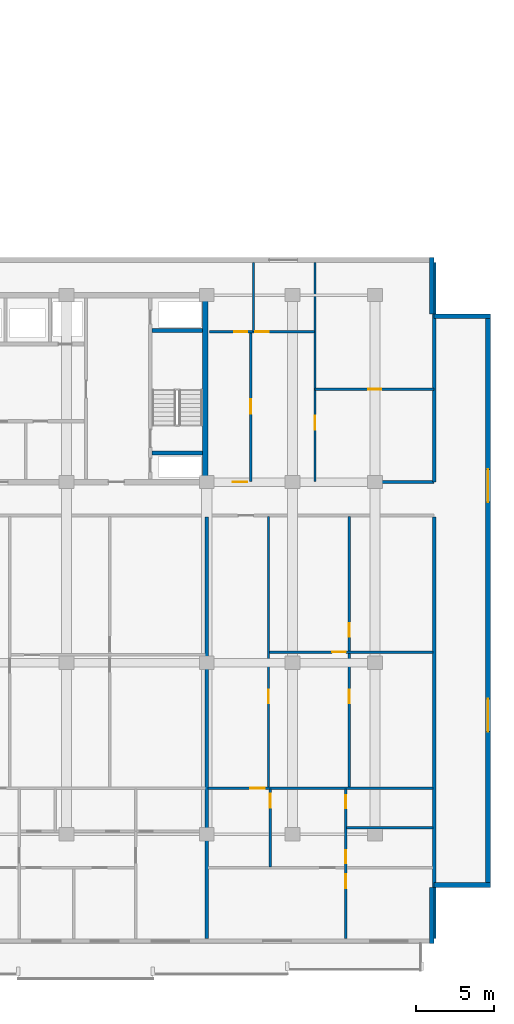
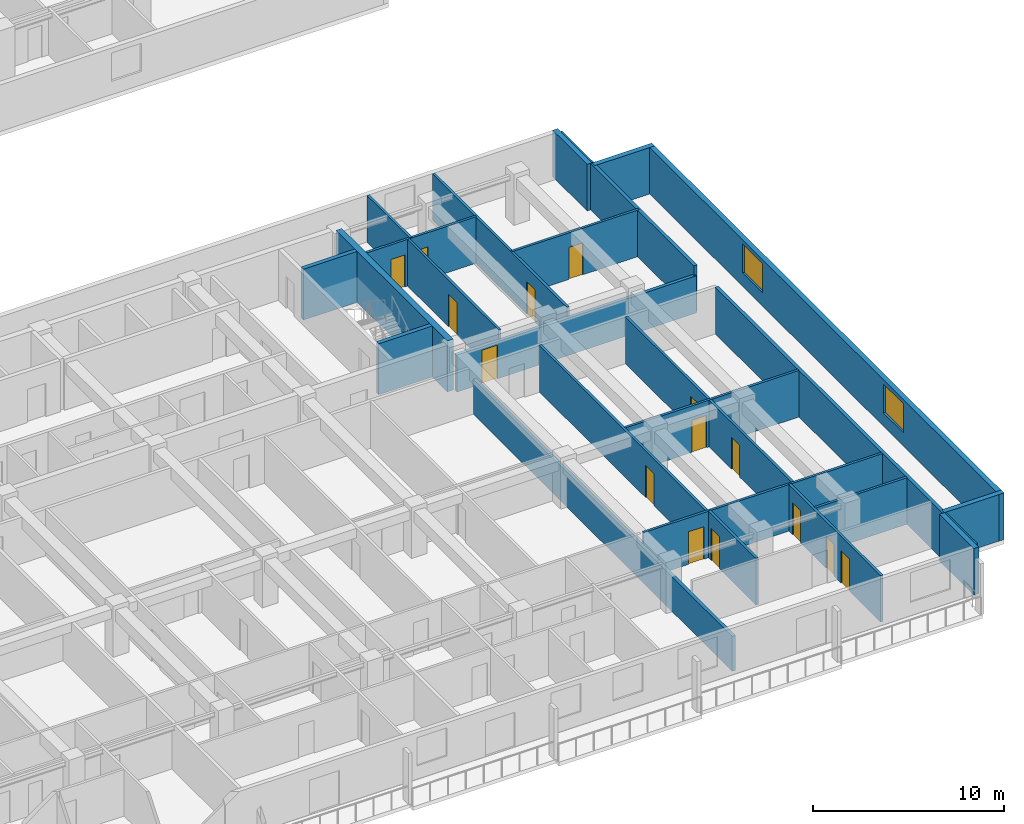
# One storey, part 9 of 23: 24 walls, 15 doors, 2 windows, 17 openings.
"""IFC4 building model written with IfcOpenShell, lengths in metres."""

from ifc_helpers import new_model, si_unit, direction, frame, frame_2d, origin, place, context, subcontext, project, spatial, rectangle, extrude, material, layer, layer_set, type_object, element, fill, save


model = new_model("IFC4")

# Units and contexts
model_context = context("Model", 3, precision=1e-05, world=origin(), true_north=direction((0.0, 1.0)))
body_context = subcontext(model_context, "Body", "Model", "MODEL_VIEW")
ifc_project = project(units=[si_unit("LENGTHUNIT", "METRE"), si_unit("AREAUNIT", "SQUARE_METRE"), si_unit("VOLUMEUNIT", "CUBIC_METRE"), si_unit("PLANEANGLEUNIT", "RADIAN"), si_unit("MASSUNIT", "GRAM", prefix="KILO")], contexts=[model_context])

# Site, building, storey
site_placement = place(None, origin())
site = spatial("IfcSite", under=ifc_project, at=site_placement, CompositionType="ELEMENT")
building_placement = place(site_placement, origin())
building = spatial("IfcBuilding", under=site, at=building_placement, Name="Korimba Cascade Residences", CompositionType="ELEMENT")
storey_placement = place(building_placement, frame((0.0, 0.0, 69.5)))
storey = spatial("IfcBuildingStorey", under=building, at=storey_placement, Name="L19", CompositionType="ELEMENT", Elevation=69.5)

# Walls
ifc_material_1 = material(Name="Precast concrete C40/50", Category="concrete")
ifc_layer_1 = layer(ifc_material_1, 0.300048828125)
ifc_layer_set_1 = layer_set([ifc_layer_1], Name="Precast concrete C40/50")
wall_type_1 = type_object("IfcWallType", Name="EW-STONE-300", PredefinedType="STANDARD", material=ifc_layer_set_1)
wall_1_placement = place(storey_placement, frame((132.550048828125, -11.199951171875, 0.0), z_axis=(0.0, 0.0, 1.0), x_axis=(0.0, 1.0, 0.0)))
element("IfcWall", 1, at=wall_1_placement, inside=storey, type_object=wall_type_1, Name="L19 T2 Perimeter Stone Wall E01", PredefinedType="STANDARD", context=body_context, shape_type="SweptSolid", body=[
    extrude(rectangle(XDim=3.599853515625, YDim=0.300048828125, at=frame_2d((1.7998046875, 0.0))), origin(), (0.0, 0.0, 1.0), 2.969970703125),
])
wall_2_placement = place(storey_placement, frame((132.699951171875, -7.449951171875, 0.0), z_axis=(0.0, 0.0, 1.0), x_axis=(1.0, 0.0, 0.0)))
element("IfcWall", 2, at=wall_2_placement, inside=storey, type_object=wall_type_1, Name="L19 T2 Perimeter Stone Wall E02", PredefinedType="STANDARD", context=body_context, shape_type="SweptSolid", body=[
    extrude(rectangle(XDim=3.60009765625, YDim=0.300048828125, at=frame_2d((1.800048828125, 0.0))), origin(), (0.0, 0.0, 1.0), 2.969970703125),
])

# Wall, openings, windows
wall_3_placement = place(storey_placement, frame((136.14990234375, -7.60009765625, 0.0), z_axis=(0.0, 0.0, 1.0), x_axis=(0.0, 1.0, 0.0)))
wall_3 = element("IfcWall", 3, at=wall_3_placement, inside=storey, type_object=wall_type_1, Name="L19 T2 Perimeter Stone Wall E03", PredefinedType="STANDARD", context=body_context, shape_type="SweptSolid", body=[
    extrude(rectangle(XDim=36.800048828125, YDim=0.300048828125, at=frame_2d((18.39990234375, 0.0))), origin(), (0.0, 0.0, 1.0), 2.969970703125),
])
opening_1_placement = place(wall_3_placement, frame((9.989990234375, 0.0, 0.85009765625)))
opening_1 = element("IfcOpeningElement", 4, at=opening_1_placement, cuts=wall_3, Name="Opening W-03", PredefinedType="OPENING", context=body_context, shape_type="SweptSolid", body=[
    extrude(rectangle(XDim=2.10009765625, YDim=1.85009765625, at=frame_2d((1.050048828125, 0.925048828125))), frame((0.0, 0.16015625, 0.0), z_axis=(0.0, -1.0, 0.0), x_axis=(1.0, 0.0, 0.0)), (0.0, 0.0, 1.0), 0.320068359375),
])
opening_2_placement = place(wall_3_placement, frame((24.7099609375, 0.0, 0.85009765625)))
opening_2 = element("IfcOpeningElement", 5, at=opening_2_placement, cuts=wall_3, Name="Opening W-03", PredefinedType="OPENING", context=body_context, shape_type="SweptSolid", body=[
    extrude(rectangle(XDim=2.10009765625, YDim=1.85009765625, at=frame_2d((1.050048828125, 0.925048828125))), frame((0.0, 0.16015625, 0.0), z_axis=(0.0, -1.0, 0.0), x_axis=(1.0, 0.0, 0.0)), (0.0, 0.0, 1.0), 0.320068359375),
])
ifc_material_2 = material(Name="Double-Glazed Aluminium Window", Category="aluminium")
window_type = type_object("IfcWindowType", Name="WIN-CRN-2100", PartitioningType="DOUBLE_PANEL_HORIZONTAL", PredefinedType="WINDOW", material=ifc_material_2)
window_1_placement = place(opening_1_placement, origin())
window_1 = element("IfcWindow", 6, at=window_1_placement, inside=storey, type_object=window_type, Name="L19 T2 End View Window 3.1", OverallHeight=1.85009765625, OverallWidth=2.10009765625, PartitioningType="DOUBLE_PANEL_HORIZONTAL", PredefinedType="WINDOW", context=body_context, shape_type="SweptSolid", body=[
    extrude(rectangle(XDim=2.10009765625, YDim=1.85009765625, at=frame_2d((1.050048828125, 0.925048828125))), frame((0.0, 0.030029296875, 0.0), z_axis=(0.0, -1.0, 0.0), x_axis=(1.0, 0.0, 0.0)), (0.0, 0.0, 1.0), 0.06005859375),
])
fill(opening_1, window_1)
window_2_placement = place(opening_2_placement, origin())
window_2 = element("IfcWindow", 7, at=window_2_placement, inside=storey, type_object=window_type, Name="L19 T2 End View Window 3.2", OverallHeight=1.85009765625, OverallWidth=2.10009765625, PartitioningType="DOUBLE_PANEL_HORIZONTAL", PredefinedType="WINDOW", context=body_context, shape_type="SweptSolid", body=[
    extrude(rectangle(XDim=2.10009765625, YDim=1.85009765625, at=frame_2d((1.050048828125, 0.925048828125))), frame((0.0, 0.030029296875, 0.0), z_axis=(0.0, -1.0, 0.0), x_axis=(1.0, 0.0, 0.0)), (0.0, 0.0, 1.0), 0.06005859375),
])
fill(opening_2, window_2)

# Walls
for number, where, z_axis, x_axis, name in (
    (8, (136.300048828125, 29.050048828125, 0.0), (0.0, 0.0, 1.0), (-1.0, 0.0, 0.0), "L19 T2 Perimeter Stone Wall E04"),
    (9, (132.550048828125, 29.199951171875, 0.0), (0.0, 0.0, 1.0), (0.0, 1.0, 0.0), "L19 T2 Perimeter Stone Wall E05"),
):
    element("IfcWall", number, at=place(storey_placement, frame(where, z_axis=z_axis, x_axis=x_axis)), inside=storey, type_object=wall_type_1, Name=name, PredefinedType="STANDARD", context=body_context, shape_type="SweptSolid", body=[
        extrude(rectangle(XDim=3.60009765625, YDim=0.300048828125, at=frame_2d((1.800048828125, 0.0))), origin(), (0.0, 0.0, 1.0), 2.969970703125),
    ])
ifc_material_3 = material(Name="Concrete C65/80", Category="concrete")
ifc_layer_2 = layer(ifc_material_3, 0.35009765625)
ifc_layer_set_2 = layer_set([ifc_layer_2], Name="Concrete C65/80")
wall_type_2 = type_object("IfcWallType", Name="WAL-CORE-350", PredefinedType="SHEAR", material=ifc_layer_set_2)
wall_4_placement = place(storey_placement, frame((118.014892578125, 18.574951171875, 0.0), z_axis=(0.0, 0.0, 1.0), x_axis=(0.0, 1.0, 0.0)))
element("IfcWall", 10, at=wall_4_placement, inside=storey, type_object=wall_type_2, Name="L19 Core Shear Wall CW-L19-T2-E", PredefinedType="SHEAR", context=body_context, shape_type="SweptSolid", body=[
    extrude(rectangle(XDim=11.650146484375, YDim=0.35009765625, at=frame_2d((5.8251953125, 0.0))), origin(), (0.0, 0.0, 1.0), 3.25),
])
ifc_layer_3 = layer(ifc_material_1, 0.199951171875)
ifc_layer_set_3 = layer_set([ifc_layer_3], Name="Precast concrete C40/50")
wall_type_3 = type_object("IfcWallType", Name="WAL-IT-200", PredefinedType="PARTITIONING", material=ifc_layer_set_3)
wall_5_placement = place(storey_placement, frame((132.699951171875, 18.39990234375, 0.0), z_axis=(0.0, 0.0, 1.0), x_axis=(0.0, 1.0, 0.0)))
element("IfcWall", 11, at=wall_5_placement, inside=storey, type_object=wall_type_3, Name="L19 Partition Wall WAL-L19-T2-FE-WR", PredefinedType="PARTITIONING", context=body_context, shape_type="SweptSolid", body=[
    extrude(rectangle(XDim=14.10009765625, YDim=0.199951171875, at=frame_2d((7.050048828125, 0.0))), origin(), (0.0, 0.0, 1.0), 2.969970703125),
])

# Wall, opening, door
wall_6_placement = place(storey_placement, frame((118.25, 18.39990234375, 0.0), z_axis=(0.0, 0.0, 1.0), x_axis=(1.0, 0.0, 0.0)))
wall_6 = element("IfcWall", 12, at=wall_6_placement, inside=storey, type_object=wall_type_3, Name="L19 Partition Wall WAL-L19-T2-FE-S", PredefinedType="PARTITIONING", context=body_context, shape_type="SweptSolid", body=[
    extrude(rectangle(XDim=14.449951171875, YDim=0.199951171875, at=frame_2d((7.22509765625, 0.0))), origin(), (0.0, 0.0, 1.0), 2.3701171875),
])
opening_3_placement = place(wall_6_placement, frame((1.510009765625, 0.0, 0.0)))
opening_3 = element("IfcOpeningElement", 13, at=opening_3_placement, cuts=wall_6, Name="Opening D-UN1", PredefinedType="OPENING", context=body_context, shape_type="SweptSolid", body=[
    extrude(rectangle(XDim=0.949951171875, YDim=2.14990234375, at=frame_2d((0.47509765625, 1.074951171875))), frame((0.0, 0.10986328125, 0.0), z_axis=(0.0, -1.0, 0.0), x_axis=(1.0, 0.0, 0.0)), (0.0, 0.0, 1.0), 0.219970703125),
])
ifc_material_4 = material(Name="Fire-Rated Hardwood Apartment Entrance Door", Category="wood")
door_type_1 = type_object("IfcDoorType", Name="DR-FD60-950", OperationType="NOTDEFINED", PredefinedType="DOOR", material=ifc_material_4)
door_1_placement = place(opening_3_placement, origin())
door_1 = element("IfcDoor", 14, at=door_1_placement, inside=storey, type_object=door_type_1, Name="L19-T2-FE Entrance Door", OperationType="SINGLE_SWING_RIGHT", OverallHeight=2.14990234375, OverallWidth=0.949951171875, PredefinedType="DOOR", context=body_context, shape_type="SweptSolid", body=[
    extrude(rectangle(XDim=0.949951171875, YDim=2.14990234375, at=frame_2d((0.47509765625, 1.074951171875))), frame((0.0, 0.02490234375, 0.0), z_axis=(0.0, -1.0, 0.0), x_axis=(1.0, 0.0, 0.0)), (0.0, 0.0, 1.0), 0.050048828125),
])
fill(opening_3, door_1)

# Walls
wall_7_placement = place(storey_placement, frame((132.699951171875, -10.89990234375, 0.0), z_axis=(0.0, 0.0, 1.0), x_axis=(0.0, 1.0, 0.0)))
element("IfcWall", 15, at=wall_7_placement, inside=storey, type_object=wall_type_3, Name="L19 Partition Wall WAL-L19-T2-BNDWR", PredefinedType="PARTITIONING", context=body_context, shape_type="SweptSolid", body=[
    extrude(rectangle(XDim=27.06982421875, YDim=0.199951171875, at=frame_2d((13.534912109375, 0.0))), origin(), (0.0, 0.0, 1.0), 2.969970703125),
])
wall_8_placement = place(storey_placement, frame((118.10009765625, -10.89990234375, 0.0), z_axis=(0.0, 0.0, 1.0), x_axis=(0.0, 1.0, 0.0)))
element("IfcWall", 16, at=wall_8_placement, inside=storey, type_object=wall_type_3, Name="L19 Partition Wall WAL-L19-T2-DEM-3", PredefinedType="PARTITIONING", context=body_context, shape_type="SweptSolid", body=[
    extrude(rectangle(XDim=27.06982421875, YDim=0.199951171875, at=frame_2d((13.534912109375, 0.0))), origin(), (0.0, 0.0, 1.0), 2.219970703125),
])

# Wall, opening, door
ifc_material_5 = material(Name="Insulated Acoustic Stud Partition", Category="gypsum")
ifc_layer_4 = layer(ifc_material_5, 0.14990234375)
ifc_layer_set_4 = layer_set([ifc_layer_4], Name="Insulated Acoustic Stud Partition")
wall_type_4 = type_object("IfcWallType", Name="WAL-PART-150", PredefinedType="PARTITIONING", material=ifc_layer_set_4)
wall_9_placement = place(storey_placement, frame((125.050048828125, 24.35009765625, 0.0), z_axis=(0.0, 0.0, 1.0), x_axis=(1.0, 0.0, 0.0)))
wall_9 = element("IfcWall", 17, at=wall_9_placement, inside=storey, type_object=wall_type_4, Name="L19 Partition Wall WAL-L19-T2-FE-STH", PredefinedType="PARTITIONING", context=body_context, shape_type="SweptSolid", body=[
    extrude(rectangle(XDim=7.64990234375, YDim=0.14990234375, at=frame_2d((3.824951171875, 0.0))), origin(), (0.0, 0.0, 1.0), 2.969970703125),
])
opening_4_placement = place(wall_9_placement, frame((3.405029296875, 0.0, 0.0)))
opening_4 = element("IfcOpeningElement", 18, at=opening_4_placement, cuts=wall_9, Name="Opening D-BT1", PredefinedType="OPENING", context=body_context, shape_type="SweptSolid", body=[
    extrude(rectangle(XDim=0.840087890625, YDim=2.0400390625, at=frame_2d((0.419921875, 1.02001953125))), frame((0.0, 0.0849609375, 0.0), z_axis=(0.0, -1.0, 0.0), x_axis=(1.0, 0.0, 0.0)), (0.0, 0.0, 1.0), 0.169921875),
])
ifc_material_6 = material(Name="Moisture-Resistant Bathroom Timber Door", Category="wood")
door_type_2 = type_object("IfcDoorType", Name="DR-INT-850", OperationType="NOTDEFINED", PredefinedType="DOOR", material=ifc_material_6)
door_2_placement = place(opening_4_placement, origin())
door_2 = element("IfcDoor", 19, at=door_2_placement, inside=storey, type_object=door_type_2, Name="L19-T2-FE Dressing Store Door", OperationType="SINGLE_SWING_LEFT", OverallHeight=2.0400390625, OverallWidth=0.840087890625, PredefinedType="DOOR", context=body_context, shape_type="SweptSolid", body=[
    extrude(rectangle(XDim=0.840087890625, YDim=2.0400390625, at=frame_2d((0.419921875, 1.02001953125))), frame((0.0, 0.02490234375, 0.0), z_axis=(0.0, -1.0, 0.0), x_axis=(1.0, 0.0, 0.0)), (0.0, 0.0, 1.0), 0.050048828125),
])
fill(opening_4, door_2)

wall_10_placement = place(storey_placement, frame((125.050048828125, 18.449951171875, 0.0), z_axis=(0.0, 0.0, 1.0), x_axis=(0.0, 1.0, 0.0)))
wall_10 = element("IfcWall", 20, at=wall_10_placement, inside=storey, type_object=wall_type_4, Name="L19 Partition Wall WAL-L19-T2-FE-STV", PredefinedType="PARTITIONING", context=body_context, shape_type="SweptSolid", body=[
    extrude(rectangle(XDim=14.050048828125, YDim=0.14990234375, at=frame_2d((7.02490234375, 0.0))), origin(), (0.0, 0.0, 1.0), 2.969970703125),
])
opening_5_placement = place(wall_10_placement, frame((3.320068359375, 0.0, 0.0)))
opening_5 = element("IfcOpeningElement", 21, at=opening_5_placement, cuts=wall_10, Name="Opening D-IN2", PredefinedType="OPENING", context=body_context, shape_type="SweptSolid", body=[
    extrude(rectangle(XDim=0.8798828125, YDim=2.06005859375, at=frame_2d((0.43994140625, 1.030029296875))), frame((0.0, 0.0849609375, 0.0), z_axis=(0.0, -1.0, 0.0), x_axis=(1.0, 0.0, 0.0)), (0.0, 0.0, 1.0), 0.169921875),
])
ifc_material_7 = material(Name="Acoustic Timber Bedroom Door", Category="wood")
door_type_3 = type_object("IfcDoorType", Name="DR-INT-880", OperationType="NOTDEFINED", PredefinedType="DOOR", material=ifc_material_7)
door_3_placement = place(opening_5_placement, origin())
door_3 = element("IfcDoor", 22, at=door_3_placement, inside=storey, type_object=door_type_3, Name="L19-T2-FE Study Door", OperationType="SINGLE_SWING_RIGHT", OverallHeight=2.06005859375, OverallWidth=0.8798828125, PredefinedType="DOOR", context=body_context, shape_type="SweptSolid", body=[
    extrude(rectangle(XDim=0.8798828125, YDim=2.06005859375, at=frame_2d((0.43994140625, 1.030029296875))), frame((0.0, 0.02490234375, 0.0), z_axis=(0.0, -1.0, 0.0), x_axis=(1.0, 0.0, 0.0)), (0.0, 0.0, 1.0), 0.050048828125),
])
fill(opening_5, door_3)

wall_11_placement = place(storey_placement, frame((120.929931640625, 18.449951171875, 0.0), z_axis=(0.0, 0.0, 1.0), x_axis=(0.0, 1.0, 0.0)))
wall_11 = element("IfcWall", 23, at=wall_11_placement, inside=storey, type_object=wall_type_4, Name="L19 Partition Wall WAL-L19-T2-FE-VS", PredefinedType="PARTITIONING", context=body_context, shape_type="SweptSolid", body=[
    extrude(rectangle(XDim=9.60009765625, YDim=0.14990234375, at=frame_2d((4.800048828125, 0.0))), origin(), (0.0, 0.0, 1.0), 2.969970703125),
])
opening_6_placement = place(wall_11_placement, frame((4.340087890625, 0.0, 0.0)))
opening_6 = element("IfcOpeningElement", 24, at=opening_6_placement, cuts=wall_11, Name="Opening D-IN1", PredefinedType="OPENING", context=body_context, shape_type="SweptSolid", body=[
    extrude(rectangle(XDim=0.919921875, YDim=2.080078125, at=frame_2d((0.4599609375, 1.0400390625))), frame((0.0, 0.0849609375, 0.0), z_axis=(0.0, -1.0, 0.0), x_axis=(1.0, 0.0, 0.0)), (0.0, 0.0, 1.0), 0.169921875),
])
ifc_material_8 = material(Name="Acoustic Timber Living Door", Category="wood")
door_type_4 = type_object("IfcDoorType", Name="DR-INT-920", OperationType="NOTDEFINED", PredefinedType="DOOR", material=ifc_material_8)
door_4_placement = place(opening_6_placement, origin())
door_4 = element("IfcDoor", 25, at=door_4_placement, inside=storey, type_object=door_type_4, Name="L19-T2-FE Living Door", OperationType="SINGLE_SWING_LEFT", OverallHeight=2.080078125, OverallWidth=0.919921875, PredefinedType="DOOR", context=body_context, shape_type="SweptSolid", body=[
    extrude(rectangle(XDim=0.919921875, YDim=2.080078125, at=frame_2d((0.4599609375, 1.0400390625))), frame((0.0, 0.02490234375, 0.0), z_axis=(0.0, -1.0, 0.0), x_axis=(1.0, 0.0, 0.0)), (0.0, 0.0, 1.0), 0.050048828125),
])
fill(opening_6, door_4)

# Wall
wall_12_placement = place(storey_placement, frame((121.10009765625, 28.050048828125, 0.0), z_axis=(0.0, 0.0, 1.0), x_axis=(0.0, 1.0, 0.0)))
element("IfcWall", 26, at=wall_12_placement, inside=storey, type_object=wall_type_4, Name="L19 Partition Wall WAL-L19-T2-FE-VN", PredefinedType="PARTITIONING", context=body_context, shape_type="SweptSolid", body=[
    extrude(rectangle(XDim=4.449951171875, YDim=0.14990234375, at=frame_2d((2.22509765625, 0.0))), origin(), (0.0, 0.0, 1.0), 2.969970703125),
])

# Wall, openings, doors
wall_13_placement = place(storey_placement, frame((118.27001953125, 28.050048828125, 0.0), z_axis=(0.0, 0.0, 1.0), x_axis=(1.0, 0.0, 0.0)))
wall_13 = element("IfcWall", 27, at=wall_13_placement, inside=storey, type_object=wall_type_4, Name="L19 Partition Wall WAL-L19-T2-FE-H", PredefinedType="PARTITIONING", context=body_context, shape_type="SweptSolid", body=[
    extrude(rectangle(XDim=6.760009765625, YDim=0.14990234375, at=frame_2d((3.3798828125, 0.0))), origin(), (0.0, 0.0, 1.0), 2.969970703125),
])
opening_7_placement = place(wall_13_placement, frame((1.58740234375, 0.0, 0.0)))
opening_7 = element("IfcOpeningElement", 28, at=opening_7_placement, cuts=wall_13, Name="Opening D-BT1", PredefinedType="OPENING", context=body_context, shape_type="SweptSolid", body=[
    extrude(rectangle(XDim=0.840087890625, YDim=2.0400390625, at=frame_2d((0.419921875, 1.02001953125))), frame((0.0, 0.0849609375, 0.0), z_axis=(0.0, -1.0, 0.0), x_axis=(1.0, 0.0, 0.0)), (0.0, 0.0, 1.0), 0.169921875),
])
opening_8_placement = place(wall_13_placement, frame((2.93408203125, 0.0, 0.0)))
opening_8 = element("IfcOpeningElement", 29, at=opening_8_placement, cuts=wall_13, Name="Opening D-IN2", PredefinedType="OPENING", context=body_context, shape_type="SweptSolid", body=[
    extrude(rectangle(XDim=0.8798828125, YDim=2.06005859375, at=frame_2d((0.43994140625, 1.030029296875))), frame((0.0, 0.0849609375, 0.0), z_axis=(0.0, -1.0, 0.0), x_axis=(1.0, 0.0, 0.0)), (0.0, 0.0, 1.0), 0.169921875),
])
door_5_placement = place(opening_7_placement, origin())
door_5 = element("IfcDoor", 30, at=door_5_placement, inside=storey, type_object=door_type_2, Name="L19-T2-FE Bathroom Door", OperationType="SINGLE_SWING_RIGHT", OverallHeight=2.0400390625, OverallWidth=0.840087890625, PredefinedType="DOOR", context=body_context, shape_type="SweptSolid", body=[
    extrude(rectangle(XDim=0.840087890625, YDim=2.0400390625, at=frame_2d((0.419921875, 1.02001953125))), frame((0.0, 0.02490234375, 0.0), z_axis=(0.0, -1.0, 0.0), x_axis=(1.0, 0.0, 0.0)), (0.0, 0.0, 1.0), 0.050048828125),
])
fill(opening_7, door_5)
door_6_placement = place(opening_8_placement, origin())
door_6 = element("IfcDoor", 31, at=door_6_placement, inside=storey, type_object=door_type_3, Name="L19-T2-FE Bedroom Door", OperationType="SINGLE_SWING_LEFT", OverallHeight=2.06005859375, OverallWidth=0.8798828125, PredefinedType="DOOR", context=body_context, shape_type="SweptSolid", body=[
    extrude(rectangle(XDim=0.8798828125, YDim=2.06005859375, at=frame_2d((0.43994140625, 1.030029296875))), frame((0.0, 0.02490234375, 0.0), z_axis=(0.0, -1.0, 0.0), x_axis=(1.0, 0.0, 0.0)), (0.0, 0.0, 1.0), 0.050048828125),
])
fill(opening_8, door_6)

wall_14_placement = place(storey_placement, frame((127.2548828125, -1.2099609375, 0.0), z_axis=(0.0, 0.0, 1.0), x_axis=(0.0, 1.0, 0.0)))
wall_14 = element("IfcWall", 32, at=wall_14_placement, inside=storey, type_object=wall_type_4, Name="L19 Partition Wall WAL-L19-T2-U04-FMV", PredefinedType="PARTITIONING", context=body_context, shape_type="SweptSolid", body=[
    extrude(rectangle(XDim=17.39990234375, YDim=0.14990234375, at=frame_2d((8.699951171875, 0.0))), origin(), (0.0, 0.0, 1.0), 2.969970703125),
])
opening_9_placement = place(wall_14_placement, frame((5.431884765625, 0.0, 0.0)))
opening_9 = element("IfcOpeningElement", 33, at=opening_9_placement, cuts=wall_14, Name="Opening D-BT1", PredefinedType="OPENING", context=body_context, shape_type="SweptSolid", body=[
    extrude(rectangle(XDim=0.840087890625, YDim=2.0400390625, at=frame_2d((0.419921875, 1.02001953125))), frame((0.0, 0.0849609375, 0.0), z_axis=(0.0, -1.0, 0.0), x_axis=(1.0, 0.0, 0.0)), (0.0, 0.0, 1.0), 0.169921875),
])
opening_10_placement = place(wall_14_placement, frame((9.672119140625, 0.0, 0.0)))
opening_10 = element("IfcOpeningElement", 34, at=opening_10_placement, cuts=wall_14, Name="Opening D-IN2", PredefinedType="OPENING", context=body_context, shape_type="SweptSolid", body=[
    extrude(rectangle(XDim=0.8798828125, YDim=2.06005859375, at=frame_2d((0.43994140625, 1.030029296875))), frame((0.0, 0.0849609375, 0.0), z_axis=(0.0, -1.0, 0.0), x_axis=(1.0, 0.0, 0.0)), (0.0, 0.0, 1.0), 0.169921875),
])
door_7_placement = place(opening_9_placement, origin())
door_7 = element("IfcDoor", 35, at=door_7_placement, inside=storey, type_object=door_type_2, Name="L19-T2-U04 Wardrobe Door", OperationType="SINGLE_SWING_RIGHT", OverallHeight=2.0400390625, OverallWidth=0.840087890625, PredefinedType="DOOR", context=body_context, shape_type="SweptSolid", body=[
    extrude(rectangle(XDim=0.840087890625, YDim=2.0400390625, at=frame_2d((0.419921875, 1.02001953125))), frame((0.0, 0.02490234375, 0.0), z_axis=(0.0, -1.0, 0.0), x_axis=(1.0, 0.0, 0.0)), (0.0, 0.0, 1.0), 0.050048828125),
])
fill(opening_9, door_7)
door_8_placement = place(opening_10_placement, origin())
door_8 = element("IfcDoor", 36, at=door_8_placement, inside=storey, type_object=door_type_3, Name="L19-T2-U04 Music Lounge Door", OperationType="SINGLE_SWING_LEFT", OverallHeight=2.06005859375, OverallWidth=0.8798828125, PredefinedType="DOOR", context=body_context, shape_type="SweptSolid", body=[
    extrude(rectangle(XDim=0.8798828125, YDim=2.06005859375, at=frame_2d((0.43994140625, 1.030029296875))), frame((0.0, 0.02490234375, 0.0), z_axis=(0.0, -1.0, 0.0), x_axis=(1.0, 0.0, 0.0)), (0.0, 0.0, 1.0), 0.050048828125),
])
fill(opening_10, door_8)

# Wall, opening, door
wall_15_placement = place(storey_placement, frame((122.1298828125, 7.489990234375, 0.0), z_axis=(0.0, 0.0, 1.0), x_axis=(1.0, 0.0, 0.0)))
wall_15 = element("IfcWall", 37, at=wall_15_placement, inside=storey, type_object=wall_type_4, Name="L19 Partition Wall WAL-L19-T2-U04-FMH", PredefinedType="PARTITIONING", context=body_context, shape_type="SweptSolid", body=[
    extrude(rectangle(XDim=10.490234375, YDim=0.14990234375, at=frame_2d((5.2451171875, 0.0))), origin(), (0.0, 0.0, 1.0), 2.969970703125),
])
opening_11_placement = place(wall_15_placement, frame((4.02490234375, 0.0, 0.0)))
opening_11 = element("IfcOpeningElement", 38, at=opening_11_placement, cuts=wall_15, Name="Opening D-IN2", PredefinedType="OPENING", context=body_context, shape_type="SweptSolid", body=[
    extrude(rectangle(XDim=0.8798828125, YDim=2.06005859375, at=frame_2d((0.43994140625, 1.030029296875))), frame((0.0, 0.0849609375, 0.0), z_axis=(0.0, -1.0, 0.0), x_axis=(1.0, 0.0, 0.0)), (0.0, 0.0, 1.0), 0.169921875),
])
door_9_placement = place(opening_11_placement, origin())
door_9 = element("IfcDoor", 39, at=door_9_placement, inside=storey, type_object=door_type_3, Name="L19-T2-U04 Library Salon Door", OperationType="SINGLE_SWING_RIGHT", OverallHeight=2.06005859375, OverallWidth=0.8798828125, PredefinedType="DOOR", context=body_context, shape_type="SweptSolid", body=[
    extrude(rectangle(XDim=0.8798828125, YDim=2.06005859375, at=frame_2d((0.43994140625, 1.030029296875))), frame((0.0, 0.02490234375, 0.0), z_axis=(0.0, -1.0, 0.0), x_axis=(1.0, 0.0, 0.0)), (0.0, 0.0, 1.0), 0.050048828125),
])
fill(opening_11, door_9)

wall_16_placement = place(storey_placement, frame((122.070068359375, -1.2099609375, 0.0), z_axis=(0.0, 0.0, 1.0), x_axis=(0.0, 1.0, 0.0)))
wall_16 = element("IfcWall", 40, at=wall_16_placement, inside=storey, type_object=wall_type_4, Name="L19 Partition Wall WAL-L19-T2-U04-FV", PredefinedType="PARTITIONING", context=body_context, shape_type="SweptSolid", body=[
    extrude(rectangle(XDim=17.39990234375, YDim=0.14990234375, at=frame_2d((8.699951171875, 0.0))), origin(), (0.0, 0.0, 1.0), 2.969970703125),
])
opening_12_placement = place(wall_16_placement, frame((5.404052734375, 0.0, 0.0)))
opening_12 = element("IfcOpeningElement", 41, at=opening_12_placement, cuts=wall_16, Name="Opening D-IN2", PredefinedType="OPENING", context=body_context, shape_type="SweptSolid", body=[
    extrude(rectangle(XDim=0.8798828125, YDim=2.06005859375, at=frame_2d((0.43994140625, 1.030029296875))), frame((0.0, 0.0849609375, 0.0), z_axis=(0.0, -1.0, 0.0), x_axis=(1.0, 0.0, 0.0)), (0.0, 0.0, 1.0), 0.169921875),
])
door_10_placement = place(opening_12_placement, origin())
door_10 = element("IfcDoor", 42, at=door_10_placement, inside=storey, type_object=door_type_3, Name="L19-T2-U04 Media Lounge Door", OperationType="SINGLE_SWING_LEFT", OverallHeight=2.06005859375, OverallWidth=0.8798828125, PredefinedType="DOOR", context=body_context, shape_type="SweptSolid", body=[
    extrude(rectangle(XDim=0.8798828125, YDim=2.06005859375, at=frame_2d((0.43994140625, 1.030029296875))), frame((0.0, 0.02490234375, 0.0), z_axis=(0.0, -1.0, 0.0), x_axis=(1.0, 0.0, 0.0)), (0.0, 0.0, 1.0), 0.050048828125),
])
fill(opening_12, door_10)

wall_17_placement = place(storey_placement, frame((122.169921875, -6.2900390625, 0.0), z_axis=(0.0, 0.0, 1.0), x_axis=(0.0, 1.0, 0.0)))
wall_17 = element("IfcWall", 43, at=wall_17_placement, inside=storey, type_object=wall_type_4, Name="L19 Partition Wall WAL-L19-T2-U04-VDIN", PredefinedType="PARTITIONING", context=body_context, shape_type="SweptSolid", body=[
    extrude(rectangle(XDim=5.0, YDim=0.14990234375, at=frame_2d((2.5, 0.0))), origin(), (0.0, 0.0, 1.0), 2.969970703125),
])
opening_13_placement = place(wall_17_placement, frame((3.7958984375, 0.0, 0.0)))
opening_13 = element("IfcOpeningElement", 44, at=opening_13_placement, cuts=wall_17, Name="Opening D-IN2", PredefinedType="OPENING", context=body_context, shape_type="SweptSolid", body=[
    extrude(rectangle(XDim=0.8798828125, YDim=2.06005859375, at=frame_2d((0.43994140625, 1.030029296875))), frame((0.0, 0.0849609375, 0.0), z_axis=(0.0, -1.0, 0.0), x_axis=(1.0, 0.0, 0.0)), (0.0, 0.0, 1.0), 0.169921875),
])
door_11_placement = place(opening_13_placement, origin())
door_11 = element("IfcDoor", 45, at=door_11_placement, inside=storey, type_object=door_type_3, Name="L19-T2-U04 Dining Room Door", OperationType="SINGLE_SWING_RIGHT", OverallHeight=2.06005859375, OverallWidth=0.8798828125, PredefinedType="DOOR", context=body_context, shape_type="SweptSolid", body=[
    extrude(rectangle(XDim=0.8798828125, YDim=2.06005859375, at=frame_2d((0.43994140625, 1.030029296875))), frame((0.0, 0.02490234375, 0.0), z_axis=(0.0, -1.0, 0.0), x_axis=(1.0, 0.0, 0.0)), (0.0, 0.0, 1.0), 0.050048828125),
])
fill(opening_13, door_11)

# Wall
wall_18_placement = place(storey_placement, frame((127.080078125, -3.7900390625, 0.0), z_axis=(0.0, 0.0, 1.0), x_axis=(1.0, 0.0, 0.0)))
element("IfcWall", 46, at=wall_18_placement, inside=storey, type_object=wall_type_4, Name="L19 Partition Wall WAL-L19-T2-U04-BLDIV", PredefinedType="PARTITIONING", context=body_context, shape_type="SweptSolid", body=[
    extrude(rectangle(XDim=5.5400390625, YDim=0.14990234375, at=frame_2d((2.77001953125, 0.0))), origin(), (0.0, 0.0, 1.0), 2.969970703125),
])

# Wall, openings, doors
wall_19_placement = place(storey_placement, frame((127.02001953125, -10.89990234375, 0.0), z_axis=(0.0, 0.0, 1.0), x_axis=(0.0, 1.0, 0.0)))
wall_19 = element("IfcWall", 47, at=wall_19_placement, inside=storey, type_object=wall_type_4, Name="L19 Partition Wall WAL-L19-T2-U04-V1", PredefinedType="PARTITIONING", context=body_context, shape_type="SweptSolid", body=[
    extrude(rectangle(XDim=9.60986328125, YDim=0.14990234375, at=frame_2d((4.804931640625, 0.0))), origin(), (0.0, 0.0, 1.0), 2.969970703125),
])
opening_14_placement = place(wall_19_placement, frame((4.85009765625, 0.0, 0.0)))
opening_14 = element("IfcOpeningElement", 48, at=opening_14_placement, cuts=wall_19, Name="Opening D-BT1", PredefinedType="OPENING", context=body_context, shape_type="SweptSolid", body=[
    extrude(rectangle(XDim=0.840087890625, YDim=2.0400390625, at=frame_2d((0.419921875, 1.02001953125))), frame((0.0, 0.0849609375, 0.0), z_axis=(0.0, -1.0, 0.0), x_axis=(1.0, 0.0, 0.0)), (0.0, 0.0, 1.0), 0.169921875),
])
opening_15_placement = place(wall_19_placement, frame((8.3564453125, 0.0, 0.0)))
opening_15 = element("IfcOpeningElement", 49, at=opening_15_placement, cuts=wall_19, Name="Opening D-BT1", PredefinedType="OPENING", context=body_context, shape_type="SweptSolid", body=[
    extrude(rectangle(XDim=0.840087890625, YDim=2.0400390625, at=frame_2d((0.419921875, 1.02001953125))), frame((0.0, 0.0849609375, 0.0), z_axis=(0.0, -1.0, 0.0), x_axis=(1.0, 0.0, 0.0)), (0.0, 0.0, 1.0), 0.169921875),
])
opening_16_placement = place(wall_19_placement, frame((3.25, 0.0, 0.0)))
opening_16 = element("IfcOpeningElement", 50, at=opening_16_placement, cuts=wall_19, Name="Opening D-IN2", PredefinedType="OPENING", context=body_context, shape_type="SweptSolid", body=[
    extrude(rectangle(XDim=0.8798828125, YDim=2.06005859375, at=frame_2d((0.43994140625, 1.030029296875))), frame((0.0, 0.0849609375, 0.0), z_axis=(0.0, -1.0, 0.0), x_axis=(1.0, 0.0, 0.0)), (0.0, 0.0, 1.0), 0.169921875),
])
door_12_placement = place(opening_14_placement, origin())
door_12 = element("IfcDoor", 51, at=door_12_placement, inside=storey, type_object=door_type_2, Name="L19-T2-U04 Bathroom Door", OperationType="SINGLE_SWING_LEFT", OverallHeight=2.0400390625, OverallWidth=0.840087890625, PredefinedType="DOOR", context=body_context, shape_type="SweptSolid", body=[
    extrude(rectangle(XDim=0.840087890625, YDim=2.0400390625, at=frame_2d((0.419921875, 1.02001953125))), frame((0.0, 0.02490234375, 0.0), z_axis=(0.0, -1.0, 0.0), x_axis=(1.0, 0.0, 0.0)), (0.0, 0.0, 1.0), 0.050048828125),
])
fill(opening_14, door_12)
door_13_placement = place(opening_15_placement, origin())
door_13 = element("IfcDoor", 52, at=door_13_placement, inside=storey, type_object=door_type_2, Name="L19-T2-U04 Laundry Door", OperationType="SINGLE_SWING_RIGHT", OverallHeight=2.0400390625, OverallWidth=0.840087890625, PredefinedType="DOOR", context=body_context, shape_type="SweptSolid", body=[
    extrude(rectangle(XDim=0.840087890625, YDim=2.0400390625, at=frame_2d((0.419921875, 1.02001953125))), frame((0.0, 0.02490234375, 0.0), z_axis=(0.0, -1.0, 0.0), x_axis=(1.0, 0.0, 0.0)), (0.0, 0.0, 1.0), 0.050048828125),
])
fill(opening_15, door_13)
door_14_placement = place(opening_16_placement, origin())
door_14 = element("IfcDoor", 53, at=door_14_placement, inside=storey, type_object=door_type_3, Name="L19-T2-U04 Bedroom 1 Door", OperationType="SINGLE_SWING_LEFT", OverallHeight=2.06005859375, OverallWidth=0.8798828125, PredefinedType="DOOR", context=body_context, shape_type="SweptSolid", body=[
    extrude(rectangle(XDim=0.8798828125, YDim=2.06005859375, at=frame_2d((0.43994140625, 1.030029296875))), frame((0.0, 0.02490234375, 0.0), z_axis=(0.0, -1.0, 0.0), x_axis=(1.0, 0.0, 0.0)), (0.0, 0.0, 1.0), 0.050048828125),
])
fill(opening_16, door_14)

# Wall, opening, door
wall_20_placement = place(storey_placement, frame((118.179931640625, -1.25, 0.0), z_axis=(0.0, 0.0, 1.0), x_axis=(1.0, 0.0, 0.0)))
wall_20 = element("IfcWall", 54, at=wall_20_placement, inside=storey, type_object=wall_type_4, Name="L19 Partition Wall WAL-L19-T2-U04-MW", PredefinedType="PARTITIONING", context=body_context, shape_type="SweptSolid", body=[
    extrude(rectangle(XDim=14.440185546875, YDim=0.14990234375, at=frame_2d((7.22021484375, 0.0))), origin(), (0.0, 0.0, 1.0), 2.969970703125),
])
opening_17_placement = place(wall_20_placement, frame((2.719970703125, 0.0, 0.0)))
opening_17 = element("IfcOpeningElement", 55, at=opening_17_placement, cuts=wall_20, Name="Opening D-IN1", PredefinedType="OPENING", context=body_context, shape_type="SweptSolid", body=[
    extrude(rectangle(XDim=0.919921875, YDim=2.080078125, at=frame_2d((0.4599609375, 1.0400390625))), frame((0.0, 0.0849609375, 0.0), z_axis=(0.0, -1.0, 0.0), x_axis=(1.0, 0.0, 0.0)), (0.0, 0.0, 1.0), 0.169921875),
])
door_15_placement = place(opening_17_placement, origin())
door_15 = element("IfcDoor", 56, at=door_15_placement, inside=storey, type_object=door_type_4, Name="L19-T2-U04 Kitchen Archway Door", OperationType="SINGLE_SWING_RIGHT", OverallHeight=2.080078125, OverallWidth=0.919921875, PredefinedType="DOOR", context=body_context, shape_type="SweptSolid", body=[
    extrude(rectangle(XDim=0.919921875, YDim=2.080078125, at=frame_2d((0.4599609375, 1.0400390625))), frame((0.0, 0.02490234375, 0.0), z_axis=(0.0, -1.0, 0.0), x_axis=(1.0, 0.0, 0.0)), (0.0, 0.0, 1.0), 0.050048828125),
])
fill(opening_17, door_15)

# Walls
ifc_material_9 = material(Name="Concrete C50/60", Category="concrete")
ifc_layer_5 = layer(ifc_material_9, 0.25)
ifc_layer_set_5 = layer_set([ifc_layer_5], Name="Concrete C50/60")
wall_type_5 = type_object("IfcWallType", Name="WAL-SHAFT-250", PredefinedType="SHEAR", material=ifc_layer_set_5)
for number, where, z_axis, x_axis, name in (
    (57, (114.60009765625, 20.27490234375, 0.0), (0.0, 0.0, 1.0), (1.0, 0.0, 0.0), "L19 Core Shear Wall CW-L19-T2-STE2S"),
    (58, (114.60009765625, 28.125, 0.0), (0.0, 0.0, 1.0), (1.0, 0.0, 0.0), "L19 Core Shear Wall CW-L19-T2-STE2N"),
):
    element("IfcWall", number, at=place(storey_placement, frame(where, z_axis=z_axis, x_axis=x_axis)), inside=storey, type_object=wall_type_5, Name=name, PredefinedType="SHEAR", context=body_context, shape_type="SweptSolid", body=[
        extrude(rectangle(XDim=3.239990234375, YDim=0.25, at=frame_2d((1.6201171875, 0.0))), origin(), (0.0, 0.0, 1.0), 3.25),
    ])

save(model, "model.ifc")
